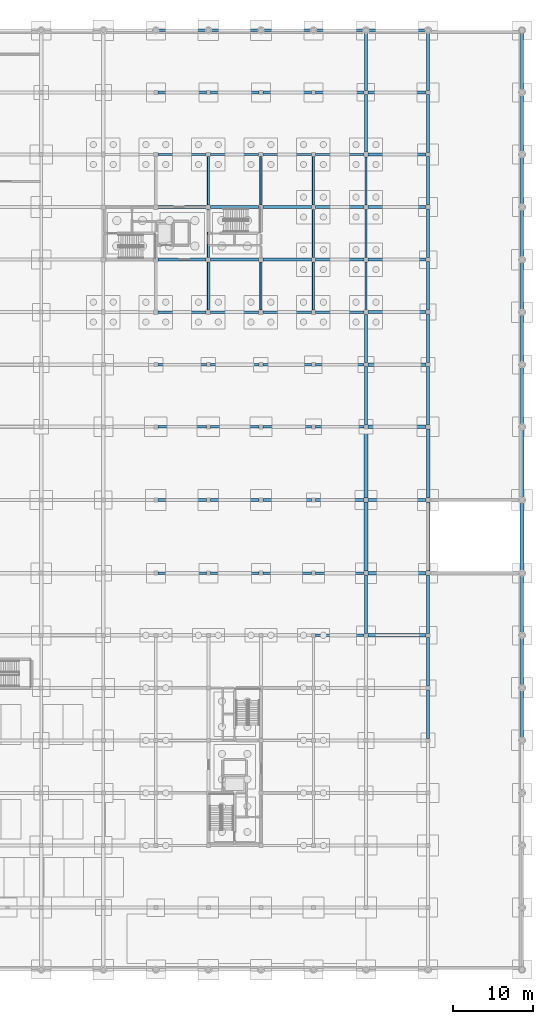
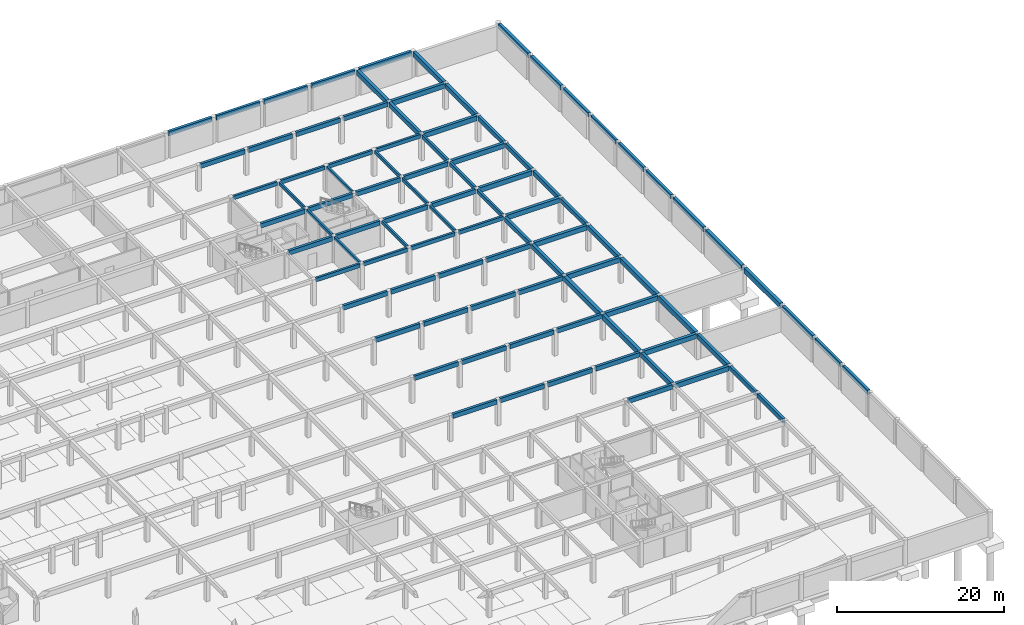
# One storey, part 21 of 37: 94 beams.
"""IFC4 building model written with IfcOpenShell, lengths in metres."""

import ifcopenshell
import ifcopenshell.guid

model = None  # the IFC model being written
_history = None  # IfcOwnerHistory: only IFC2X3 demands one
_inside = {}  # id of a spatial element -> (the spatial element, [elements in it])
_under = {}  # id of a project, library or spatial element -> (it, [spatial elements below it])
_declared = {}  # id of a project -> (the project, [libraries it declares])
_typed = {}  # id of a type object -> (the type object, [elements of that type])
_made_of = {}  # id of a material, layer set ... -> (it, [elements and type objects made of it])


def new_model(schema):
    """Start an empty IFC model of exactly this schema.

    Asked for "IFC4X3", IfcOpenShell would pick the latest addendum, in which some entities
    have other attributes; the version numbers below select the first issue.
    IFC2X3 requires an IfcOwnerHistory on every rooted entity: one is made here for all.
    """
    global model, _history
    if schema == "IFC4X3":
        model = ifcopenshell.file(schema_version=(4, 3, 0, 0))
    else:
        model = ifcopenshell.file(schema=schema)
    _inside.clear()
    _under.clear()
    _declared.clear()
    _typed.clear()
    _made_of.clear()
    _history = None
    if model.schema == "IFC2X3":
        org = make("IfcOrganization", Name="unknown")
        user = make(
            "IfcPersonAndOrganization",
            ThePerson=make("IfcPerson", FamilyName="unknown"),
            TheOrganization=org,
        )
        app = make(
            "IfcApplication",
            ApplicationDeveloper=org,
            Version="unknown",
            ApplicationFullName="unknown",
            ApplicationIdentifier="unknown",
        )
        _history = make(
            "IfcOwnerHistory",
            OwningUser=user,
            OwningApplication=app,
            ChangeAction="ADDED",
            CreationDate=0,
        )
    return model


def make(cls, **values):
    """One entity of the class cls with the attributes given. An attribute that is None is left unset."""
    return model.create_entity(
        cls, **{name: value for name, value in values.items() if value is not None}
    )


def rooted(cls, **values):
    """An entity with a GlobalId (a new one), such as an element, a storey or a relation."""
    return make(cls, GlobalId=ifcopenshell.guid.new(), OwnerHistory=_history, **values)


def si_unit(unit_type, name, prefix=None):
    """IfcSIUnit, for example si_unit("LENGTHUNIT", "METRE", prefix="MILLI")."""
    return make("IfcSIUnit", UnitType=unit_type, Prefix=prefix, Name=name)


def assignment(units):
    """IfcUnitAssignment: the units of a project."""
    return None if units is None else make("IfcUnitAssignment", Units=units)


def point(xyz):
    """IfcCartesianPoint."""
    return None if xyz is None else make("IfcCartesianPoint", Coordinates=xyz)


def direction(xyz):
    """IfcDirection."""
    return None if xyz is None else make("IfcDirection", DirectionRatios=xyz)


def frame(location, z_axis=None, x_axis=None):
    """IfcAxis2Placement3D, a coordinate frame: its origin and axes. An axis left out is left unset."""
    return make(
        "IfcAxis2Placement3D",
        Location=point(location),
        Axis=direction(z_axis),
        RefDirection=direction(x_axis),
    )


def frame_2d(location, x_axis=None):
    """IfcAxis2Placement2D, a coordinate frame in the plane: its origin and x axis."""
    return make(
        "IfcAxis2Placement2D", Location=point(location), RefDirection=direction(x_axis)
    )


def origin():
    """The frame at (0, 0, 0) with its axes left unset."""
    return frame((0.0, 0.0, 0.0))


def origin_2d():
    """The frame at (0, 0) in the plane with its x axis left unset."""
    return frame_2d((0.0, 0.0))


def place(relative_to, where):
    """IfcLocalPlacement: puts the frame where relative to a parent placement (None: the world)."""
    return make(
        "IfcLocalPlacement", PlacementRelTo=relative_to, RelativePlacement=where
    )


def context(
    kind, dimensions, precision=None, world=None, true_north=None, identifier=None
):
    """IfcGeometricRepresentationContext, for example the 3D "Model" context."""
    return make(
        "IfcGeometricRepresentationContext",
        ContextIdentifier=identifier,
        ContextType=kind,
        CoordinateSpaceDimension=dimensions,
        Precision=precision,
        WorldCoordinateSystem=world,
        TrueNorth=true_north,
    )


def subcontext(parent, identifier, kind, view, scale=None):
    """IfcGeometricRepresentationSubContext, for example "Body" below "Model"."""
    return make(
        "IfcGeometricRepresentationSubContext",
        ContextIdentifier=identifier,
        ContextType=kind,
        ParentContext=parent,
        TargetScale=scale,
        TargetView=view,
    )


def project(units=None, contexts=None):
    """IfcProject with its units and contexts."""
    return rooted(
        "IfcProject",
        Name="project",
        RepresentationContexts=contexts,
        UnitsInContext=assignment(units),
    )


def spatial(cls, under=None, at=None, **own):
    """A site, building, storey or space (cls), placed at a placement, below another one or the project."""
    s = rooted(cls, ObjectPlacement=at, **own)
    if under is not None:
        _under.setdefault(under.id(), (under, []))[1].append(s)
    return s


def profile(cls, at=None, kind="AREA", **sizes):
    """A parametric profile (cls). Its sizes go by their IFC names, for example OverallWidth=200.0."""
    return make(cls, ProfileType=kind, Position=at, **sizes)


def rectangle(**sizes):
    """IfcRectangleProfileDef."""
    return profile("IfcRectangleProfileDef", **sizes)


def extrude(swept, where, along, depth):
    """IfcExtrudedAreaSolid: the profile swept, set in the frame where, extruded along a direction by depth."""
    return make(
        "IfcExtrudedAreaSolid",
        SweptArea=swept,
        Position=where,
        ExtrudedDirection=direction(along),
        Depth=depth,
    )


def shape(context_of_items, identifier, shape_type, items):
    """IfcShapeRepresentation: the items that make up one representation, for example the "Body"."""
    return make(
        "IfcShapeRepresentation",
        ContextOfItems=context_of_items,
        RepresentationIdentifier=identifier,
        RepresentationType=shape_type,
        Items=items,
    )


def material(Name=None, Category=None):
    """IfcMaterial."""
    return make("IfcMaterial", Name=Name, Category=Category)


def material_profile(
    of_material, cross_section, Name=None, Category=None, Priority=None
):
    """IfcMaterialProfile: a cross section and its material."""
    return make(
        "IfcMaterialProfile",
        Name=Name,
        Material=of_material,
        Profile=cross_section,
        Priority=Priority,
        Category=Category,
    )


def profile_set(profiles, Name=None, composite=None):
    """IfcMaterialProfileSet."""
    return make(
        "IfcMaterialProfileSet",
        Name=Name,
        MaterialProfiles=profiles,
        CompositeProfile=composite,
    )


def made_of(thing, what):
    """Note that an element or type object is made of a material, layer set ...; save() writes the relation."""
    if what is not None:
        _made_of.setdefault(what.id(), (what, []))[1].append(thing)
    return thing


def type_object(cls, material=None, **own):
    """A type object (cls), such as IfcWallType, which elements share."""
    return made_of(rooted(cls, **own), material)


def element(
    cls,
    number,
    at=None,
    inside=None,
    cuts=None,
    type_object=None,
    material=None,
    context=None,
    identifier="Body",
    shape_type=None,
    held_by="IfcProductDefinitionShape",
    body=None,
    shapes=None,
    **own,
):
    """One element of the class cls, such as IfcWall. Its Tag is "e" and its number.

    at: its placement. inside: the storey or other place that contains it. cuts: it is an
    opening in that element (IfcRelVoidsElement). A single representation is given by context,
    identifier, shape_type and body (its items); several are given by shapes. held_by: the class
    of the entity that holds the representations. save() writes the other relations.
    """
    e = rooted(cls, Tag="e%d" % number, ObjectPlacement=at, **own)
    if body is not None:
        shapes = [shape(context, identifier, shape_type, body)]
    if shapes is not None:
        e.Representation = make(held_by, Representations=shapes)
    if inside is not None:
        _inside.setdefault(inside.id(), (inside, []))[1].append(e)
    if cuts is not None:
        rooted(
            "IfcRelVoidsElement", RelatingBuildingElement=cuts, RelatedOpeningElement=e
        )
    if type_object is not None:
        _typed.setdefault(type_object.id(), (type_object, []))[1].append(e)
    return made_of(e, material)


def aggregate(whole, parts):
    """IfcRelAggregates: a whole, such as a stair, and the parts it consists of."""
    return rooted("IfcRelAggregates", RelatingObject=whole, RelatedObjects=parts)


def save(model, path):
    """Write the relations noted so far, then the file.

    IfcRelAggregates (storeys below a building ...), IfcRelContainedInSpatialStructure (elements
    in a storey), IfcRelDefinesByType, IfcRelAssociatesMaterial and IfcRelDeclares: one each for
    every whole, place, type object, material and project.
    """
    for whole, parts in _under.values():
        aggregate(whole, parts)
    for where, things in _inside.values():
        rooted(
            "IfcRelContainedInSpatialStructure",
            RelatedElements=things,
            RelatingStructure=where,
        )
    for kind, things in _typed.values():
        rooted("IfcRelDefinesByType", RelatedObjects=things, RelatingType=kind)
    for what, things in _made_of.values():
        rooted("IfcRelAssociatesMaterial", RelatedObjects=things, RelatingMaterial=what)
    for by, libraries in _declared.values():
        rooted("IfcRelDeclares", RelatingContext=by, RelatedDefinitions=libraries)
    model.write(path)


model = new_model("IFC4")

# Units and contexts
model_context = context("Model", 3, precision=1e-05, world=origin(), true_north=direction((0.0, 1.0)))
body_context = subcontext(model_context, "Body", "Model", "MODEL_VIEW")
ifc_project = project(units=[si_unit("LENGTHUNIT", "METRE"), si_unit("AREAUNIT", "SQUARE_METRE"), si_unit("VOLUMEUNIT", "CUBIC_METRE"), si_unit("PLANEANGLEUNIT", "RADIAN"), si_unit("MASSUNIT", "GRAM", prefix="KILO")], contexts=[model_context])

# Site, building, storey
site_placement = place(None, origin())
site = spatial("IfcSite", under=ifc_project, at=site_placement, CompositionType="ELEMENT")
building_placement = place(site_placement, origin())
building = spatial("IfcBuilding", under=site, at=building_placement, Name="Kernevlak Ridge Housing Community", CompositionType="ELEMENT")
storey_placement = place(building_placement, frame((0.0, 0.0, -3.800048828125)))
storey = spatial("IfcBuildingStorey", under=building, at=storey_placement, Name="B1", CompositionType="ELEMENT", Elevation=-3.800048828125)

# Beams
ifc_material = material(Name="Concrete C35/45", Category="concrete")
ifc_material_profile_1 = material_profile(ifc_material, rectangle(XDim=0.39990234375, YDim=0.699951171875, at=origin_2d()), Name="RC 400x700")
ifc_profile_set_1 = profile_set([ifc_material_profile_1], Name="Concrete C35/45")
beam_type_1 = type_object("IfcBeamType", Name="B-01", PredefinedType="BEAM", material=ifc_profile_set_1)
for number, where, z_axis, x_axis, name in (
    (1, (152.64990234375, 42.0, 3.449951171875), (1.0, 0.0, 0.0), (0.0, 1.0, 0.0), "Beam B-01 B1 1658"),
    (2, (152.64990234375, 49.800048828125, 3.449951171875), (1.0, 0.0, 0.0), (0.0, 1.0, 0.0), "Beam B-01 B1 1684"),
    (3, (152.64990234375, 59.0, 3.449951171875), (1.0, 0.0, 0.0), (0.0, 1.0, 0.0), "Beam B-01 B1 1710"),
    (4, (152.64990234375, 68.199951171875, 3.449951171875), (1.0, 0.0, 0.0), (0.0, 1.0, 0.0), "Beam B-01 B1 1736"),
    (5, (152.64990234375, 76.0, 3.449951171875), (1.0, 0.0, 0.0), (0.0, 1.0, 0.0), "Beam B-01 B1 1754"),
):
    element("IfcBeam", number, at=place(storey_placement, frame(where, z_axis=z_axis, x_axis=x_axis)), inside=storey, type_object=beam_type_1, Name=name, PredefinedType="BEAM", context=body_context, shape_type="SweptSolid", body=[
        extrude(rectangle(XDim=0.39990234375, YDim=0.699951171875, at=origin_2d()), origin(), (0.0, 0.0, 1.0), 7.300048828125),
    ])
beam_1_placement = place(storey_placement, frame((152.625, 82.60009765625, 3.449951171875), z_axis=(1.0, 0.0, 0.0), x_axis=(0.0, 1.0, 0.0)))
element("IfcBeam", 6, at=beam_1_placement, inside=storey, type_object=beam_type_1, Name="Beam B-01 B1 1765", PredefinedType="BEAM", context=body_context, shape_type="SweptSolid", body=[
    extrude(rectangle(XDim=0.39990234375, YDim=0.699951171875, at=origin_2d()), origin(), (0.0, 0.0, 1.0), 7.324951171875),
])
for number, where, z_axis, x_axis, name in (
    (7, (152.675048828125, 89.199951171875, 3.449951171875), (1.0, 0.0, 0.0), (0.0, 1.0, 0.0), "Beam B-01 B1 1776"),
    (8, (152.675048828125, 95.800048828125, 3.449951171875), (1.0, 0.0, 0.0), (0.0, 1.0, 0.0), "Beam B-01 B1 1787"),
):
    element("IfcBeam", number, at=place(storey_placement, frame(where, z_axis=z_axis, x_axis=x_axis)), inside=storey, type_object=beam_type_1, Name=name, PredefinedType="BEAM", context=body_context, shape_type="SweptSolid", body=[
        extrude(rectangle(XDim=0.39990234375, YDim=0.699951171875, at=origin_2d()), origin(), (0.0, 0.0, 1.0), 7.27490234375),
    ])
beam_2_placement = place(storey_placement, frame((152.625, 102.39990234375, 3.449951171875), z_axis=(1.0, 0.0, 0.0), x_axis=(0.0, 1.0, 0.0)))
element("IfcBeam", 9, at=beam_2_placement, inside=storey, type_object=beam_type_1, Name="Beam B-01 B1 1803", PredefinedType="BEAM", context=body_context, shape_type="SweptSolid", body=[
    extrude(rectangle(XDim=0.39990234375, YDim=0.699951171875, at=origin_2d()), origin(), (0.0, 0.0, 1.0), 7.324951171875),
])
beam_3_placement = place(storey_placement, frame((152.64990234375, 110.199951171875, 3.449951171875), z_axis=(1.0, 0.0, 0.0), x_axis=(0.0, 1.0, 0.0)))
element("IfcBeam", 10, at=beam_3_placement, inside=storey, type_object=beam_type_1, Name="Beam B-01 B1 1824", PredefinedType="BEAM", context=body_context, shape_type="SweptSolid", body=[
    extrude(rectangle(XDim=0.39990234375, YDim=0.699951171875, at=origin_2d()), origin(), (0.0, 0.0, 1.0), 7.300048828125),
])
beam_4_placement = place(storey_placement, frame((152.699951171875, 118.0, 3.449951171875), z_axis=(1.0, 0.0, 0.0), x_axis=(0.0, 1.0, 0.0)))
element("IfcBeam", 11, at=beam_4_placement, inside=storey, type_object=beam_type_1, Name="Beam B-01 B1 1845", PredefinedType="BEAM", context=body_context, shape_type="SweptSolid", body=[
    extrude(rectangle(XDim=0.39990234375, YDim=0.699951171875, at=origin_2d()), origin(), (0.0, 0.0, 1.0), 7.199951171875),
])
for number, where, z_axis, x_axis, name in (
    (12, (152.39990234375, 42.25, 3.449951171875), (0.0, 1.0, 0.0), (-1.0, 0.0, 0.0), "Beam B-01 B1 2002"),
    (13, (152.39990234375, 68.449951171875, 3.449951171875), (0.0, 1.0, 0.0), (-1.0, 0.0, 0.0), "Beam B-01 B1 2005"),
):
    element("IfcBeam", number, at=place(storey_placement, frame(where, z_axis=z_axis, x_axis=x_axis)), inside=storey, type_object=beam_type_1, Name=name, PredefinedType="BEAM", context=body_context, shape_type="SweptSolid", body=[
        extrude(rectangle(XDim=0.39990234375, YDim=0.699951171875, at=origin_2d()), origin(), (0.0, 0.0, 1.0), 7.300048828125),
    ])
beam_5_placement = place(storey_placement, frame((152.39990234375, 102.72509765625, 3.449951171875), z_axis=(0.0, 1.0, 0.0), x_axis=(-1.0, 0.0, 0.0)))
element("IfcBeam", 14, at=beam_5_placement, inside=storey, type_object=beam_type_1, Name="Beam B-01 B1 2007", PredefinedType="BEAM", context=body_context, shape_type="SweptSolid", body=[
    extrude(rectangle(XDim=0.39990234375, YDim=0.699951171875, at=origin_2d()), origin(), (0.0, 0.0, 1.0), 7.224853515625),
])
beam_6_placement = place(storey_placement, frame((152.39990234375, 110.449951171875, 3.449951171875), z_axis=(0.0, 1.0, 0.0), x_axis=(-1.0, 0.0, 0.0)))
element("IfcBeam", 15, at=beam_6_placement, inside=storey, type_object=beam_type_1, Name="Beam B-01 B1 2008", PredefinedType="BEAM", context=body_context, shape_type="SweptSolid", body=[
    extrude(rectangle(XDim=0.39990234375, YDim=0.699951171875, at=origin_2d()), origin(), (0.0, 0.0, 1.0), 7.25),
])
for number, where, z_axis, x_axis, name in (
    (16, (160.199951171875, 42.25, 3.449951171875), (0.0, 1.0, 0.0), (-1.0, 0.0, 0.0), "Beam B-01 B1 2015"),
    (17, (160.199951171875, 68.449951171875, 3.449951171875), (0.0, 1.0, 0.0), (-1.0, 0.0, 0.0), "Beam B-01 B1 2018"),
    (18, (160.199951171875, 102.64990234375, 3.449951171875), (0.0, 1.0, 0.0), (-1.0, 0.0, 0.0), "Beam B-01 B1 2023"),
):
    element("IfcBeam", number, at=place(storey_placement, frame(where, z_axis=z_axis, x_axis=x_axis)), inside=storey, type_object=beam_type_1, Name=name, PredefinedType="BEAM", context=body_context, shape_type="SweptSolid", body=[
        extrude(rectangle(XDim=0.39990234375, YDim=0.699951171875, at=origin_2d()), origin(), (0.0, 0.0, 1.0), 7.300048828125),
    ])
beam_7_placement = place(storey_placement, frame((160.199951171875, 110.449951171875, 3.449951171875), z_axis=(0.0, 1.0, 0.0), x_axis=(-1.0, 0.0, 0.0)))
element("IfcBeam", 19, at=beam_7_placement, inside=storey, type_object=beam_type_1, Name="Beam B-01 B1 2024", PredefinedType="BEAM", context=body_context, shape_type="SweptSolid", body=[
    extrude(rectangle(XDim=0.39990234375, YDim=0.699951171875, at=origin_2d()), origin(), (0.0, 0.0, 1.0), 7.25),
])
for number, where, z_axis, x_axis, name in (
    (20, (172.0, 42.300048828125, 3.449951171875), (0.0, 1.0, 0.0), (-1.0, 0.0, 0.0), "Beam B-01 B1 2031"),
    (21, (172.0, 68.5, 3.449951171875), (0.0, 1.0, 0.0), (-1.0, 0.0, 0.0), "Beam B-01 B1 2034"),
    (22, (172.0, 102.699951171875, 3.449951171875), (0.0, 1.0, 0.0), (-1.0, 0.0, 0.0), "Beam B-01 B1 2039"),
):
    element("IfcBeam", number, at=place(storey_placement, frame(where, z_axis=z_axis, x_axis=x_axis)), inside=storey, type_object=beam_type_1, Name=name, PredefinedType="BEAM", context=body_context, shape_type="SweptSolid", body=[
        extrude(rectangle(XDim=0.39990234375, YDim=0.699951171875, at=origin_2d()), origin(), (0.0, 0.0, 1.0), 7.199951171875),
    ])
beam_8_placement = place(storey_placement, frame((172.0, 110.5, 3.449951171875), z_axis=(0.0, 1.0, 0.0), x_axis=(-1.0, 0.0, 0.0)))
element("IfcBeam", 23, at=beam_8_placement, inside=storey, type_object=beam_type_1, Name="Beam B-01 B1 2040", PredefinedType="BEAM", context=body_context, shape_type="SweptSolid", body=[
    extrude(rectangle(XDim=0.39990234375, YDim=0.699951171875, at=origin_2d()), origin(), (0.0, 0.0, 1.0), 7.14990234375),
])
ifc_material_profile_2 = material_profile(ifc_material, rectangle(XDim=0.35009765625, YDim=0.64990234375, at=origin_2d()), Name="RC 350x650")
ifc_profile_set_2 = profile_set([ifc_material_profile_2], Name="Concrete C35/45")
beam_type_2 = type_object("IfcBeamType", Name="B-02", PredefinedType="BEAM", material=ifc_profile_set_2)
for number, where, z_axis, x_axis, name in (
    (24, (126.27490234375, 89.199951171875, 3.47509765625), (1.0, 0.0, 0.0), (0.0, 1.0, 0.0), "Beam B-02 B1 527"),
    (25, (132.875, 89.199951171875, 3.47509765625), (1.0, 0.0, 0.0), (0.0, 1.0, 0.0), "Beam B-02 B1 528"),
):
    element("IfcBeam", number, at=place(storey_placement, frame(where, z_axis=z_axis, x_axis=x_axis)), inside=storey, type_object=beam_type_2, Name=name, PredefinedType="BEAM", context=body_context, shape_type="SweptSolid", body=[
        extrude(rectangle(XDim=0.35009765625, YDim=0.64990234375, at=origin_2d()), origin(), (0.0, 0.0, 1.0), 6.050048828125),
    ])
beam_9_placement = place(storey_placement, frame((139.47509765625, 89.199951171875, 3.47509765625), z_axis=(1.0, 0.0, 0.0), x_axis=(0.0, 1.0, 0.0)))
element("IfcBeam", 26, at=beam_9_placement, inside=storey, type_object=beam_type_2, Name="Beam B-02 B1 529", PredefinedType="BEAM", context=body_context, shape_type="SweptSolid", body=[
    extrude(rectangle(XDim=0.35009765625, YDim=0.64990234375, at=origin_2d()), origin(), (0.0, 0.0, 1.0), 6.0498046875),
])
for number, where, z_axis, x_axis, name in (
    (27, (146.074951171875, 89.199951171875, 3.47509765625), (1.0, 0.0, 0.0), (0.0, 1.0, 0.0), "Beam B-02 B1 530"),
    (28, (126.27490234375, 95.800048828125, 3.47509765625), (1.0, 0.0, 0.0), (0.0, 1.0, 0.0), "Beam B-02 B1 532"),
    (29, (132.875, 95.800048828125, 3.47509765625), (1.0, 0.0, 0.0), (0.0, 1.0, 0.0), "Beam B-02 B1 533"),
):
    element("IfcBeam", number, at=place(storey_placement, frame(where, z_axis=z_axis, x_axis=x_axis)), inside=storey, type_object=beam_type_2, Name=name, PredefinedType="BEAM", context=body_context, shape_type="SweptSolid", body=[
        extrude(rectangle(XDim=0.35009765625, YDim=0.64990234375, at=origin_2d()), origin(), (0.0, 0.0, 1.0), 6.050048828125),
    ])
beam_10_placement = place(storey_placement, frame((139.47509765625, 95.800048828125, 3.47509765625), z_axis=(1.0, 0.0, 0.0), x_axis=(0.0, 1.0, 0.0)))
element("IfcBeam", 30, at=beam_10_placement, inside=storey, type_object=beam_type_2, Name="Beam B-02 B1 534", PredefinedType="BEAM", context=body_context, shape_type="SweptSolid", body=[
    extrude(rectangle(XDim=0.35009765625, YDim=0.64990234375, at=origin_2d()), origin(), (0.0, 0.0, 1.0), 6.0498046875),
])
beam_11_placement = place(storey_placement, frame((146.074951171875, 95.800048828125, 3.47509765625), z_axis=(1.0, 0.0, 0.0), x_axis=(0.0, 1.0, 0.0)))
element("IfcBeam", 31, at=beam_11_placement, inside=storey, type_object=beam_type_2, Name="Beam B-02 B1 535", PredefinedType="BEAM", context=body_context, shape_type="SweptSolid", body=[
    extrude(rectangle(XDim=0.35009765625, YDim=0.64990234375, at=origin_2d()), origin(), (0.0, 0.0, 1.0), 6.050048828125),
])
beam_12_placement = place(storey_placement, frame((146.050048828125, 42.0, 3.47509765625), z_axis=(1.0, 0.0, 0.0), x_axis=(0.0, 1.0, 0.0)))
element("IfcBeam", 32, at=beam_12_placement, inside=storey, type_object=beam_type_2, Name="Beam B-02 B1 1657", PredefinedType="BEAM", context=body_context, shape_type="SweptSolid", body=[
    extrude(rectangle(XDim=0.35009765625, YDim=0.64990234375, at=origin_2d()), origin(), (0.0, 0.0, 1.0), 6.099853515625),
])
beam_13_placement = place(storey_placement, frame((126.25, 49.800048828125, 3.47509765625), z_axis=(1.0, 0.0, 0.0), x_axis=(0.0, 1.0, 0.0)))
element("IfcBeam", 33, at=beam_13_placement, inside=storey, type_object=beam_type_2, Name="Beam B-02 B1 1680", PredefinedType="BEAM", context=body_context, shape_type="SweptSolid", body=[
    extrude(rectangle(XDim=0.35009765625, YDim=0.64990234375, at=origin_2d()), origin(), (0.0, 0.0, 1.0), 6.10009765625),
])
beam_14_placement = place(storey_placement, frame((132.85009765625, 49.800048828125, 3.47509765625), z_axis=(1.0, 0.0, 0.0), x_axis=(0.0, 1.0, 0.0)))
element("IfcBeam", 34, at=beam_14_placement, inside=storey, type_object=beam_type_2, Name="Beam B-02 B1 1681", PredefinedType="BEAM", context=body_context, shape_type="SweptSolid", body=[
    extrude(rectangle(XDim=0.35009765625, YDim=0.64990234375, at=origin_2d()), origin(), (0.0, 0.0, 1.0), 6.099853515625),
])
beam_15_placement = place(storey_placement, frame((139.449951171875, 49.800048828125, 3.47509765625), z_axis=(1.0, 0.0, 0.0), x_axis=(0.0, 1.0, 0.0)))
element("IfcBeam", 35, at=beam_15_placement, inside=storey, type_object=beam_type_2, Name="Beam B-02 B1 1682", PredefinedType="BEAM", context=body_context, shape_type="SweptSolid", body=[
    extrude(rectangle(XDim=0.35009765625, YDim=0.64990234375, at=origin_2d()), origin(), (0.0, 0.0, 1.0), 6.10009765625),
])
beam_16_placement = place(storey_placement, frame((146.050048828125, 49.800048828125, 3.47509765625), z_axis=(1.0, 0.0, 0.0), x_axis=(0.0, 1.0, 0.0)))
element("IfcBeam", 36, at=beam_16_placement, inside=storey, type_object=beam_type_2, Name="Beam B-02 B1 1683", PredefinedType="BEAM", context=body_context, shape_type="SweptSolid", body=[
    extrude(rectangle(XDim=0.35009765625, YDim=0.64990234375, at=origin_2d()), origin(), (0.0, 0.0, 1.0), 6.099853515625),
])
beam_17_placement = place(storey_placement, frame((126.25, 59.0, 3.47509765625), z_axis=(1.0, 0.0, 0.0), x_axis=(0.0, 1.0, 0.0)))
element("IfcBeam", 37, at=beam_17_placement, inside=storey, type_object=beam_type_2, Name="Beam B-02 B1 1706", PredefinedType="BEAM", context=body_context, shape_type="SweptSolid", body=[
    extrude(rectangle(XDim=0.35009765625, YDim=0.64990234375, at=origin_2d()), origin(), (0.0, 0.0, 1.0), 6.10009765625),
])
beam_18_placement = place(storey_placement, frame((132.85009765625, 59.0, 3.47509765625), z_axis=(1.0, 0.0, 0.0), x_axis=(0.0, 1.0, 0.0)))
element("IfcBeam", 38, at=beam_18_placement, inside=storey, type_object=beam_type_2, Name="Beam B-02 B1 1707", PredefinedType="BEAM", context=body_context, shape_type="SweptSolid", body=[
    extrude(rectangle(XDim=0.35009765625, YDim=0.64990234375, at=origin_2d()), origin(), (0.0, 0.0, 1.0), 6.099853515625),
])
beam_19_placement = place(storey_placement, frame((139.449951171875, 59.0, 3.47509765625), z_axis=(1.0, 0.0, 0.0), x_axis=(0.0, 1.0, 0.0)))
element("IfcBeam", 39, at=beam_19_placement, inside=storey, type_object=beam_type_2, Name="Beam B-02 B1 1708", PredefinedType="BEAM", context=body_context, shape_type="SweptSolid", body=[
    extrude(rectangle(XDim=0.35009765625, YDim=0.64990234375, at=origin_2d()), origin(), (0.0, 0.0, 1.0), 6.10009765625),
])
beam_20_placement = place(storey_placement, frame((146.050048828125, 59.0, 3.47509765625), z_axis=(1.0, 0.0, 0.0), x_axis=(0.0, 1.0, 0.0)))
element("IfcBeam", 40, at=beam_20_placement, inside=storey, type_object=beam_type_2, Name="Beam B-02 B1 1709", PredefinedType="BEAM", context=body_context, shape_type="SweptSolid", body=[
    extrude(rectangle(XDim=0.35009765625, YDim=0.64990234375, at=origin_2d()), origin(), (0.0, 0.0, 1.0), 6.099853515625),
])
beam_21_placement = place(storey_placement, frame((126.25, 68.199951171875, 3.47509765625), z_axis=(1.0, 0.0, 0.0), x_axis=(0.0, 1.0, 0.0)))
element("IfcBeam", 41, at=beam_21_placement, inside=storey, type_object=beam_type_2, Name="Beam B-02 B1 1732", PredefinedType="BEAM", context=body_context, shape_type="SweptSolid", body=[
    extrude(rectangle(XDim=0.35009765625, YDim=0.64990234375, at=origin_2d()), origin(), (0.0, 0.0, 1.0), 6.10009765625),
])
beam_22_placement = place(storey_placement, frame((132.85009765625, 68.199951171875, 3.47509765625), z_axis=(1.0, 0.0, 0.0), x_axis=(0.0, 1.0, 0.0)))
element("IfcBeam", 42, at=beam_22_placement, inside=storey, type_object=beam_type_2, Name="Beam B-02 B1 1733", PredefinedType="BEAM", context=body_context, shape_type="SweptSolid", body=[
    extrude(rectangle(XDim=0.35009765625, YDim=0.64990234375, at=origin_2d()), origin(), (0.0, 0.0, 1.0), 6.099853515625),
])
beam_23_placement = place(storey_placement, frame((139.449951171875, 68.199951171875, 3.47509765625), z_axis=(1.0, 0.0, 0.0), x_axis=(0.0, 1.0, 0.0)))
element("IfcBeam", 43, at=beam_23_placement, inside=storey, type_object=beam_type_2, Name="Beam B-02 B1 1734", PredefinedType="BEAM", context=body_context, shape_type="SweptSolid", body=[
    extrude(rectangle(XDim=0.35009765625, YDim=0.64990234375, at=origin_2d()), origin(), (0.0, 0.0, 1.0), 6.10009765625),
])
beam_24_placement = place(storey_placement, frame((146.050048828125, 68.199951171875, 3.47509765625), z_axis=(1.0, 0.0, 0.0), x_axis=(0.0, 1.0, 0.0)))
element("IfcBeam", 44, at=beam_24_placement, inside=storey, type_object=beam_type_2, Name="Beam B-02 B1 1735", PredefinedType="BEAM", context=body_context, shape_type="SweptSolid", body=[
    extrude(rectangle(XDim=0.35009765625, YDim=0.64990234375, at=origin_2d()), origin(), (0.0, 0.0, 1.0), 6.099853515625),
])
beam_25_placement = place(storey_placement, frame((126.25, 76.0, 3.47509765625), z_axis=(1.0, 0.0, 0.0), x_axis=(0.0, 1.0, 0.0)))
element("IfcBeam", 45, at=beam_25_placement, inside=storey, type_object=beam_type_2, Name="Beam B-02 B1 1750", PredefinedType="BEAM", context=body_context, shape_type="SweptSolid", body=[
    extrude(rectangle(XDim=0.35009765625, YDim=0.64990234375, at=origin_2d()), origin(), (0.0, 0.0, 1.0), 6.10009765625),
])
beam_26_placement = place(storey_placement, frame((132.85009765625, 76.0, 3.47509765625), z_axis=(1.0, 0.0, 0.0), x_axis=(0.0, 1.0, 0.0)))
element("IfcBeam", 46, at=beam_26_placement, inside=storey, type_object=beam_type_2, Name="Beam B-02 B1 1751", PredefinedType="BEAM", context=body_context, shape_type="SweptSolid", body=[
    extrude(rectangle(XDim=0.35009765625, YDim=0.64990234375, at=origin_2d()), origin(), (0.0, 0.0, 1.0), 6.099853515625),
])
beam_27_placement = place(storey_placement, frame((139.449951171875, 76.0, 3.47509765625), z_axis=(1.0, 0.0, 0.0), x_axis=(0.0, 1.0, 0.0)))
element("IfcBeam", 47, at=beam_27_placement, inside=storey, type_object=beam_type_2, Name="Beam B-02 B1 1752", PredefinedType="BEAM", context=body_context, shape_type="SweptSolid", body=[
    extrude(rectangle(XDim=0.35009765625, YDim=0.64990234375, at=origin_2d()), origin(), (0.0, 0.0, 1.0), 6.10009765625),
])
beam_28_placement = place(storey_placement, frame((146.050048828125, 76.0, 3.47509765625), z_axis=(1.0, 0.0, 0.0), x_axis=(0.0, 1.0, 0.0)))
element("IfcBeam", 48, at=beam_28_placement, inside=storey, type_object=beam_type_2, Name="Beam B-02 B1 1753", PredefinedType="BEAM", context=body_context, shape_type="SweptSolid", body=[
    extrude(rectangle(XDim=0.35009765625, YDim=0.64990234375, at=origin_2d()), origin(), (0.0, 0.0, 1.0), 6.099853515625),
])
beam_29_placement = place(storey_placement, frame((126.25, 110.199951171875, 3.47509765625), z_axis=(1.0, 0.0, 0.0), x_axis=(0.0, 1.0, 0.0)))
element("IfcBeam", 49, at=beam_29_placement, inside=storey, type_object=beam_type_2, Name="Beam B-02 B1 1820", PredefinedType="BEAM", context=body_context, shape_type="SweptSolid", body=[
    extrude(rectangle(XDim=0.35009765625, YDim=0.64990234375, at=origin_2d()), origin(), (0.0, 0.0, 1.0), 6.10009765625),
])
beam_30_placement = place(storey_placement, frame((132.85009765625, 110.199951171875, 3.47509765625), z_axis=(1.0, 0.0, 0.0), x_axis=(0.0, 1.0, 0.0)))
element("IfcBeam", 50, at=beam_30_placement, inside=storey, type_object=beam_type_2, Name="Beam B-02 B1 1821", PredefinedType="BEAM", context=body_context, shape_type="SweptSolid", body=[
    extrude(rectangle(XDim=0.35009765625, YDim=0.64990234375, at=origin_2d()), origin(), (0.0, 0.0, 1.0), 6.099853515625),
])
beam_31_placement = place(storey_placement, frame((139.449951171875, 110.199951171875, 3.47509765625), z_axis=(1.0, 0.0, 0.0), x_axis=(0.0, 1.0, 0.0)))
element("IfcBeam", 51, at=beam_31_placement, inside=storey, type_object=beam_type_2, Name="Beam B-02 B1 1822", PredefinedType="BEAM", context=body_context, shape_type="SweptSolid", body=[
    extrude(rectangle(XDim=0.35009765625, YDim=0.64990234375, at=origin_2d()), origin(), (0.0, 0.0, 1.0), 6.10009765625),
])
beam_32_placement = place(storey_placement, frame((146.050048828125, 110.199951171875, 3.47509765625), z_axis=(1.0, 0.0, 0.0), x_axis=(0.0, 1.0, 0.0)))
element("IfcBeam", 52, at=beam_32_placement, inside=storey, type_object=beam_type_2, Name="Beam B-02 B1 1823", PredefinedType="BEAM", context=body_context, shape_type="SweptSolid", body=[
    extrude(rectangle(XDim=0.35009765625, YDim=0.64990234375, at=origin_2d()), origin(), (0.0, 0.0, 1.0), 6.099853515625),
])
for number, where, z_axis, x_axis, name in (
    (53, (126.300048828125, 118.0, 3.47509765625), (1.0, 0.0, 0.0), (0.0, 1.0, 0.0), "Beam B-02 B1 1841"),
    (54, (132.89990234375, 118.0, 3.47509765625), (1.0, 0.0, 0.0), (0.0, 1.0, 0.0), "Beam B-02 B1 1842"),
    (55, (139.5, 118.0, 3.47509765625), (1.0, 0.0, 0.0), (0.0, 1.0, 0.0), "Beam B-02 B1 1843"),
    (56, (146.10009765625, 118.0, 3.47509765625), (1.0, 0.0, 0.0), (0.0, 1.0, 0.0), "Beam B-02 B1 1844"),
):
    element("IfcBeam", number, at=place(storey_placement, frame(where, z_axis=z_axis, x_axis=x_axis)), inside=storey, type_object=beam_type_2, Name=name, PredefinedType="BEAM", context=body_context, shape_type="SweptSolid", body=[
        extrude(rectangle(XDim=0.35009765625, YDim=0.64990234375, at=origin_2d()), origin(), (0.0, 0.0, 1.0), 6.0),
    ])
beam_33_placement = place(storey_placement, frame((152.39990234375, 76.25, 3.47509765625), z_axis=(0.0, 1.0, 0.0), x_axis=(-1.0, 0.0, 0.0)))
element("IfcBeam", 57, at=beam_33_placement, inside=storey, type_object=beam_type_2, Name="Beam B-02 B1 2006", PredefinedType="BEAM", context=body_context, shape_type="SweptSolid", body=[
    extrude(rectangle(XDim=0.35009765625, YDim=0.64990234375, at=origin_2d()), origin(), (0.0, 0.0, 1.0), 6.02490234375),
])
beam_34_placement = place(storey_placement, frame((160.199951171875, 29.050048828125, 3.47509765625), z_axis=(0.0, 1.0, 0.0), x_axis=(-1.0, 0.0, 0.0)))
element("IfcBeam", 58, at=beam_34_placement, inside=storey, type_object=beam_type_2, Name="Beam B-02 B1 2013", PredefinedType="BEAM", context=body_context, shape_type="SweptSolid", body=[
    extrude(rectangle(XDim=0.35009765625, YDim=0.64990234375, at=origin_2d()), origin(), (0.0, 0.0, 1.0), 6.099853515625),
])
for number, where, z_axis, x_axis, name in (
    (59, (160.199951171875, 35.64990234375, 3.47509765625), (0.0, 1.0, 0.0), (-1.0, 0.0, 0.0), "Beam B-02 B1 2014"),
    (60, (160.199951171875, 76.25, 3.47509765625), (0.0, 1.0, 0.0), (-1.0, 0.0, 0.0), "Beam B-02 B1 2019"),
):
    element("IfcBeam", number, at=place(storey_placement, frame(where, z_axis=z_axis, x_axis=x_axis)), inside=storey, type_object=beam_type_2, Name=name, PredefinedType="BEAM", context=body_context, shape_type="SweptSolid", body=[
        extrude(rectangle(XDim=0.35009765625, YDim=0.64990234375, at=origin_2d()), origin(), (0.0, 0.0, 1.0), 6.10009765625),
    ])
beam_35_placement = place(storey_placement, frame((160.199951171875, 82.85009765625, 3.47509765625), z_axis=(0.0, 1.0, 0.0), x_axis=(-1.0, 0.0, 0.0)))
element("IfcBeam", 61, at=beam_35_placement, inside=storey, type_object=beam_type_2, Name="Beam B-02 B1 2020", PredefinedType="BEAM", context=body_context, shape_type="SweptSolid", body=[
    extrude(rectangle(XDim=0.35009765625, YDim=0.64990234375, at=origin_2d()), origin(), (0.0, 0.0, 1.0), 6.099853515625),
])
beam_36_placement = place(storey_placement, frame((160.199951171875, 89.449951171875, 3.47509765625), z_axis=(0.0, 1.0, 0.0), x_axis=(-1.0, 0.0, 0.0)))
element("IfcBeam", 62, at=beam_36_placement, inside=storey, type_object=beam_type_2, Name="Beam B-02 B1 2021", PredefinedType="BEAM", context=body_context, shape_type="SweptSolid", body=[
    extrude(rectangle(XDim=0.35009765625, YDim=0.64990234375, at=origin_2d()), origin(), (0.0, 0.0, 1.0), 6.10009765625),
])
beam_37_placement = place(storey_placement, frame((160.199951171875, 96.050048828125, 3.47509765625), z_axis=(0.0, 1.0, 0.0), x_axis=(-1.0, 0.0, 0.0)))
element("IfcBeam", 63, at=beam_37_placement, inside=storey, type_object=beam_type_2, Name="Beam B-02 B1 2022", PredefinedType="BEAM", context=body_context, shape_type="SweptSolid", body=[
    extrude(rectangle(XDim=0.35009765625, YDim=0.64990234375, at=origin_2d()), origin(), (0.0, 0.0, 1.0), 6.099853515625),
])
for number, where, z_axis, x_axis, name in (
    (64, (172.0, 29.10009765625, 3.47509765625), (0.0, 1.0, 0.0), (-1.0, 0.0, 0.0), "Beam B-02 B1 2029"),
    (65, (172.0, 35.699951171875, 3.47509765625), (0.0, 1.0, 0.0), (-1.0, 0.0, 0.0), "Beam B-02 B1 2030"),
    (66, (172.0, 76.300048828125, 3.47509765625), (0.0, 1.0, 0.0), (-1.0, 0.0, 0.0), "Beam B-02 B1 2035"),
    (67, (172.0, 82.89990234375, 3.47509765625), (0.0, 1.0, 0.0), (-1.0, 0.0, 0.0), "Beam B-02 B1 2036"),
    (68, (172.0, 89.5, 3.47509765625), (0.0, 1.0, 0.0), (-1.0, 0.0, 0.0), "Beam B-02 B1 2037"),
    (69, (172.0, 96.10009765625, 3.47509765625), (0.0, 1.0, 0.0), (-1.0, 0.0, 0.0), "Beam B-02 B1 2038"),
):
    element("IfcBeam", number, at=place(storey_placement, frame(where, z_axis=z_axis, x_axis=x_axis)), inside=storey, type_object=beam_type_2, Name=name, PredefinedType="BEAM", context=body_context, shape_type="SweptSolid", body=[
        extrude(rectangle(XDim=0.35009765625, YDim=0.64990234375, at=origin_2d()), origin(), (0.0, 0.0, 1.0), 6.0),
    ])
ifc_material_profile_3 = material_profile(ifc_material, rectangle(XDim=0.25, YDim=0.449951171875, at=origin_2d()), Name="RC 250x450")
ifc_profile_set_3 = profile_set([ifc_material_profile_3], Name="Concrete C35/45")
beam_type_3 = type_object("IfcBeamType", Name="B-04", PredefinedType="T_BEAM", material=ifc_profile_set_3)
beam_38_placement = place(storey_placement, frame((132.60009765625, 82.875, 3.574951171875), z_axis=(0.0, 1.0, 0.0), x_axis=(-1.0, 0.0, 0.0)))
element("IfcBeam", 70, at=beam_38_placement, inside=storey, type_object=beam_type_3, Name="Beam B-04 B1 546", PredefinedType="T_BEAM", context=body_context, shape_type="SweptSolid", body=[
    extrude(rectangle(XDim=0.25, YDim=0.449951171875, at=origin_2d()), origin(), (0.0, 0.0, 1.0), 6.050048828125),
])
beam_39_placement = place(storey_placement, frame((132.60009765625, 89.47509765625, 3.574951171875), z_axis=(0.0, 1.0, 0.0), x_axis=(-1.0, 0.0, 0.0)))
element("IfcBeam", 71, at=beam_39_placement, inside=storey, type_object=beam_type_3, Name="Beam B-04 B1 547", PredefinedType="T_BEAM", context=body_context, shape_type="SweptSolid", body=[
    extrude(rectangle(XDim=0.25, YDim=0.449951171875, at=origin_2d()), origin(), (0.0, 0.0, 1.0), 6.0498046875),
])
for number, where, z_axis, x_axis, name in (
    (72, (132.60009765625, 96.074951171875, 3.574951171875), (0.0, 1.0, 0.0), (-1.0, 0.0, 0.0), "Beam B-04 B1 548"),
    (73, (139.199951171875, 82.875, 3.574951171875), (0.0, 1.0, 0.0), (-1.0, 0.0, 0.0), "Beam B-04 B1 549"),
    (74, (139.199951171875, 96.074951171875, 3.574951171875), (0.0, 1.0, 0.0), (-1.0, 0.0, 0.0), "Beam B-04 B1 550"),
    (75, (145.800048828125, 82.875, 3.574951171875), (0.0, 1.0, 0.0), (-1.0, 0.0, 0.0), "Beam B-04 B1 551"),
):
    element("IfcBeam", number, at=place(storey_placement, frame(where, z_axis=z_axis, x_axis=x_axis)), inside=storey, type_object=beam_type_3, Name=name, PredefinedType="T_BEAM", context=body_context, shape_type="SweptSolid", body=[
        extrude(rectangle(XDim=0.25, YDim=0.449951171875, at=origin_2d()), origin(), (0.0, 0.0, 1.0), 6.050048828125),
    ])
beam_40_placement = place(storey_placement, frame((145.800048828125, 89.47509765625, 3.574951171875), z_axis=(0.0, 1.0, 0.0), x_axis=(-1.0, 0.0, 0.0)))
element("IfcBeam", 76, at=beam_40_placement, inside=storey, type_object=beam_type_3, Name="Beam B-04 B1 552", PredefinedType="T_BEAM", context=body_context, shape_type="SweptSolid", body=[
    extrude(rectangle(XDim=0.25, YDim=0.449951171875, at=origin_2d()), origin(), (0.0, 0.0, 1.0), 6.0498046875),
])
beam_41_placement = place(storey_placement, frame((145.800048828125, 96.074951171875, 3.574951171875), z_axis=(0.0, 1.0, 0.0), x_axis=(-1.0, 0.0, 0.0)))
element("IfcBeam", 77, at=beam_41_placement, inside=storey, type_object=beam_type_3, Name="Beam B-04 B1 553", PredefinedType="T_BEAM", context=body_context, shape_type="SweptSolid", body=[
    extrude(rectangle(XDim=0.25, YDim=0.449951171875, at=origin_2d()), origin(), (0.0, 0.0, 1.0), 6.050048828125),
])
ifc_material_profile_4 = material_profile(ifc_material, rectangle(XDim=0.449951171875, YDim=0.75, at=origin_2d()), Name="RC 450x750")
ifc_profile_set_4 = profile_set([ifc_material_profile_4], Name="Concrete C35/45")
beam_type_4 = type_object("IfcBeamType", Name="B-05", PredefinedType="BEAM", material=ifc_profile_set_4)
for number, where, z_axis, x_axis, name in (
    (78, (152.39990234375, 50.050048828125, 3.425048828125), (0.0, 1.0, 0.0), (-1.0, 0.0, 0.0), "Beam B-05 B1 2003"),
    (79, (152.39990234375, 59.25, 3.425048828125), (0.0, 1.0, 0.0), (-1.0, 0.0, 0.0), "Beam B-05 B1 2004"),
    (80, (160.199951171875, 50.050048828125, 3.425048828125), (0.0, 1.0, 0.0), (-1.0, 0.0, 0.0), "Beam B-05 B1 2016"),
    (81, (160.199951171875, 59.25, 3.425048828125), (0.0, 1.0, 0.0), (-1.0, 0.0, 0.0), "Beam B-05 B1 2017"),
):
    element("IfcBeam", number, at=place(storey_placement, frame(where, z_axis=z_axis, x_axis=x_axis)), inside=storey, type_object=beam_type_4, Name=name, PredefinedType="BEAM", context=body_context, shape_type="SweptSolid", body=[
        extrude(rectangle(XDim=0.449951171875, YDim=0.75, at=origin_2d()), origin(), (0.0, 0.0, 1.0), 8.699951171875),
    ])
for number, where, z_axis, x_axis, name in (
    (82, (172.0, 50.10009765625, 3.425048828125), (0.0, 1.0, 0.0), (-1.0, 0.0, 0.0), "Beam B-05 B1 2032"),
    (83, (172.0, 59.300048828125, 3.425048828125), (0.0, 1.0, 0.0), (-1.0, 0.0, 0.0), "Beam B-05 B1 2033"),
):
    element("IfcBeam", number, at=place(storey_placement, frame(where, z_axis=z_axis, x_axis=x_axis)), inside=storey, type_object=beam_type_4, Name=name, PredefinedType="BEAM", context=body_context, shape_type="SweptSolid", body=[
        extrude(rectangle(XDim=0.449951171875, YDim=0.75, at=origin_2d()), origin(), (0.0, 0.0, 1.0), 8.599853515625),
    ])
ifc_material_profile_5 = material_profile(ifc_material, rectangle(XDim=0.300048828125, YDim=0.550048828125, at=origin_2d()), Name="RC 300x550")
ifc_profile_set_5 = profile_set([ifc_material_profile_5], Name="Concrete C35/45")
beam_type_5 = type_object("IfcBeamType", Name="SP-01", PredefinedType="SPANDREL", material=ifc_profile_set_5)
for number, where, z_axis, x_axis, name in (
    (84, (126.27490234375, 82.60009765625, 3.525146484375), (1.0, 0.0, 0.0), (0.0, 1.0, 0.0), "Beam SP-01 B1 522"),
    (85, (132.875, 82.60009765625, 3.525146484375), (1.0, 0.0, 0.0), (0.0, 1.0, 0.0), "Beam SP-01 B1 523"),
):
    element("IfcBeam", number, at=place(storey_placement, frame(where, z_axis=z_axis, x_axis=x_axis)), inside=storey, type_object=beam_type_5, Name=name, PredefinedType="SPANDREL", context=body_context, shape_type="SweptSolid", body=[
        extrude(rectangle(XDim=0.300048828125, YDim=0.550048828125, at=origin_2d()), origin(), (0.0, 0.0, 1.0), 6.050048828125),
    ])
beam_42_placement = place(storey_placement, frame((139.47509765625, 82.60009765625, 3.525146484375), z_axis=(1.0, 0.0, 0.0), x_axis=(0.0, 1.0, 0.0)))
element("IfcBeam", 86, at=beam_42_placement, inside=storey, type_object=beam_type_5, Name="Beam SP-01 B1 524", PredefinedType="SPANDREL", context=body_context, shape_type="SweptSolid", body=[
    extrude(rectangle(XDim=0.300048828125, YDim=0.550048828125, at=origin_2d()), origin(), (0.0, 0.0, 1.0), 6.0498046875),
])
beam_43_placement = place(storey_placement, frame((146.074951171875, 82.60009765625, 3.525146484375), z_axis=(1.0, 0.0, 0.0), x_axis=(0.0, 1.0, 0.0)))
element("IfcBeam", 87, at=beam_43_placement, inside=storey, type_object=beam_type_5, Name="Beam SP-01 B1 525", PredefinedType="SPANDREL", context=body_context, shape_type="SweptSolid", body=[
    extrude(rectangle(XDim=0.300048828125, YDim=0.550048828125, at=origin_2d()), origin(), (0.0, 0.0, 1.0), 6.10009765625),
])
for number, where, z_axis, x_axis, name in (
    (88, (126.27490234375, 102.39990234375, 3.525146484375), (1.0, 0.0, 0.0), (0.0, 1.0, 0.0), "Beam SP-01 B1 537"),
    (89, (132.875, 102.39990234375, 3.525146484375), (1.0, 0.0, 0.0), (0.0, 1.0, 0.0), "Beam SP-01 B1 538"),
):
    element("IfcBeam", number, at=place(storey_placement, frame(where, z_axis=z_axis, x_axis=x_axis)), inside=storey, type_object=beam_type_5, Name=name, PredefinedType="SPANDREL", context=body_context, shape_type="SweptSolid", body=[
        extrude(rectangle(XDim=0.300048828125, YDim=0.550048828125, at=origin_2d()), origin(), (0.0, 0.0, 1.0), 6.050048828125),
    ])
beam_44_placement = place(storey_placement, frame((139.47509765625, 102.39990234375, 3.525146484375), z_axis=(1.0, 0.0, 0.0), x_axis=(0.0, 1.0, 0.0)))
element("IfcBeam", 90, at=beam_44_placement, inside=storey, type_object=beam_type_5, Name="Beam SP-01 B1 539", PredefinedType="SPANDREL", context=body_context, shape_type="SweptSolid", body=[
    extrude(rectangle(XDim=0.300048828125, YDim=0.550048828125, at=origin_2d()), origin(), (0.0, 0.0, 1.0), 6.0498046875),
])
beam_45_placement = place(storey_placement, frame((146.074951171875, 102.39990234375, 3.525146484375), z_axis=(1.0, 0.0, 0.0), x_axis=(0.0, 1.0, 0.0)))
element("IfcBeam", 91, at=beam_45_placement, inside=storey, type_object=beam_type_5, Name="Beam SP-01 B1 540", PredefinedType="SPANDREL", context=body_context, shape_type="SweptSolid", body=[
    extrude(rectangle(XDim=0.300048828125, YDim=0.550048828125, at=origin_2d()), origin(), (0.0, 0.0, 1.0), 6.10009765625),
])
beam_46_placement = place(storey_placement, frame((152.39990234375, 82.925048828125, 3.525146484375), z_axis=(0.0, 1.0, 0.0), x_axis=(-1.0, 0.0, 0.0)))
element("IfcBeam", 92, at=beam_46_placement, inside=storey, type_object=beam_type_5, Name="Beam SP-01 B1 554", PredefinedType="SPANDREL", context=body_context, shape_type="SweptSolid", body=[
    extrude(rectangle(XDim=0.300048828125, YDim=0.550048828125, at=origin_2d()), origin(), (0.0, 0.0, 1.0), 6.0),
])
beam_47_placement = place(storey_placement, frame((152.39990234375, 89.47509765625, 3.525146484375), z_axis=(0.0, 1.0, 0.0), x_axis=(-1.0, 0.0, 0.0)))
element("IfcBeam", 93, at=beam_47_placement, inside=storey, type_object=beam_type_5, Name="Beam SP-01 B1 555", PredefinedType="SPANDREL", context=body_context, shape_type="SweptSolid", body=[
    extrude(rectangle(XDim=0.300048828125, YDim=0.550048828125, at=origin_2d()), origin(), (0.0, 0.0, 1.0), 6.0498046875),
])
beam_48_placement = place(storey_placement, frame((152.39990234375, 96.074951171875, 3.525146484375), z_axis=(0.0, 1.0, 0.0), x_axis=(-1.0, 0.0, 0.0)))
element("IfcBeam", 94, at=beam_48_placement, inside=storey, type_object=beam_type_5, Name="Beam SP-01 B1 556", PredefinedType="SPANDREL", context=body_context, shape_type="SweptSolid", body=[
    extrude(rectangle(XDim=0.300048828125, YDim=0.550048828125, at=origin_2d()), origin(), (0.0, 0.0, 1.0), 6.0),
])

save(model, "model.ifc")
